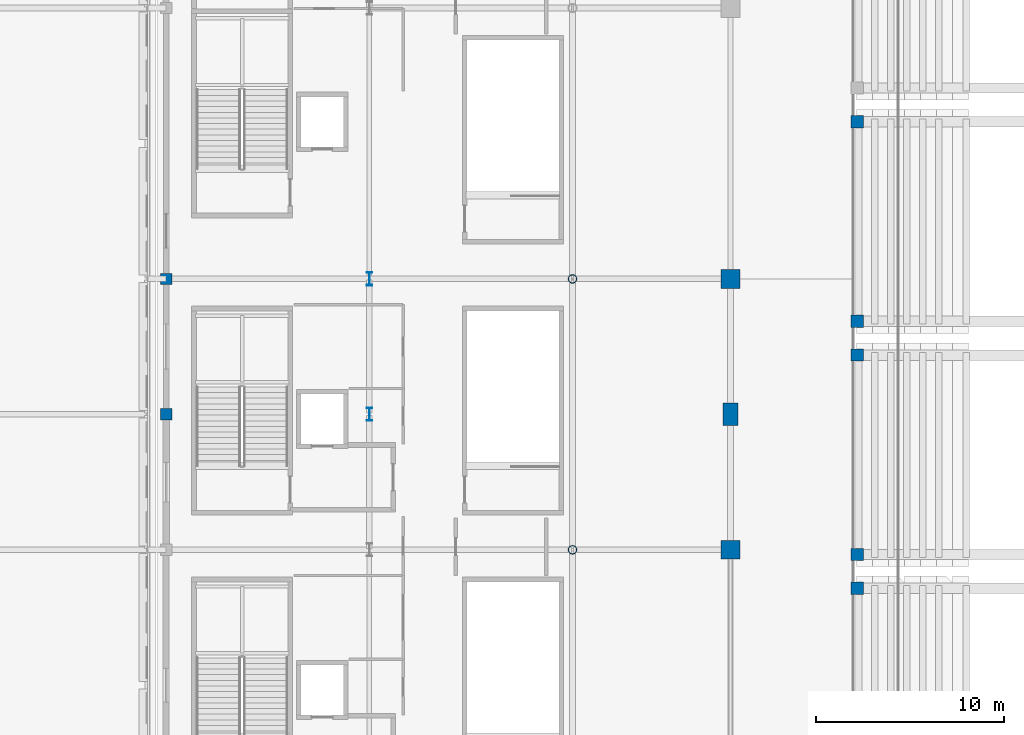
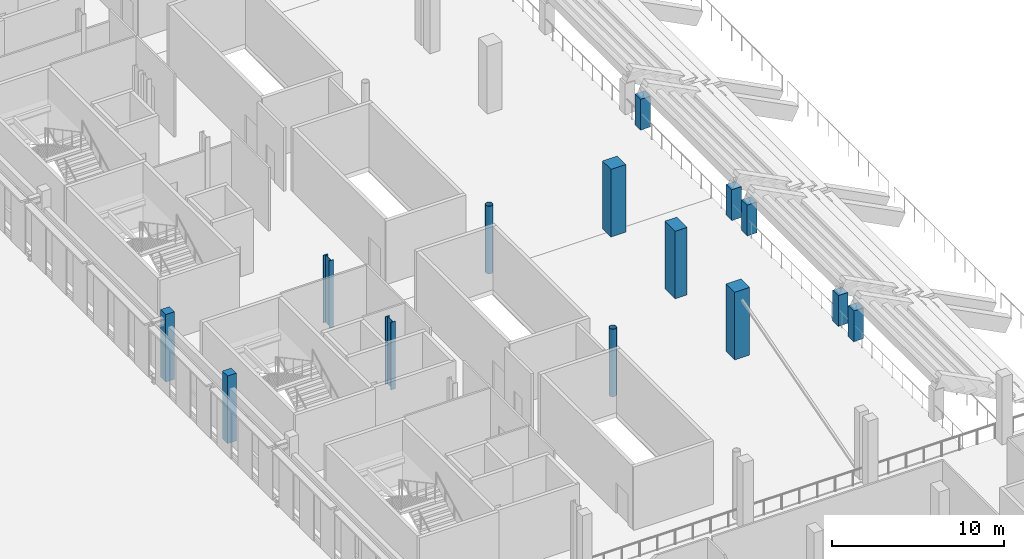
# One storey, part 2 of 74: 14 columns.
"""IFC4 building model written with IfcOpenShell, lengths in metres."""

from ifc_helpers import new_model, si_unit, direction, frame, origin, origin_2d, place, context, subcontext, project, spatial, rectangle, hollow_circle, i_section, extrude, material, material_profile, profile_set, type_object, element, save


model = new_model("IFC4")

# Units and contexts
model_context = context("Model", 3, precision=1e-05, world=origin(), true_north=direction((0.0, 1.0)))
body_context = subcontext(model_context, "Body", "Model", "MODEL_VIEW")
ifc_project = project(units=[si_unit("LENGTHUNIT", "METRE"), si_unit("AREAUNIT", "SQUARE_METRE"), si_unit("VOLUMEUNIT", "CUBIC_METRE"), si_unit("PLANEANGLEUNIT", "RADIAN"), si_unit("MASSUNIT", "GRAM", prefix="KILO")], contexts=[model_context])

# Site, building, storey
site_placement = place(None, origin())
site = spatial("IfcSite", under=ifc_project, at=site_placement, CompositionType="ELEMENT")
building_placement = place(site_placement, origin())
building = spatial("IfcBuilding", under=site, at=building_placement, Name="Koshinbarg Plaza Stadium", CompositionType="ELEMENT")
storey_placement = place(building_placement, frame((0.0, 0.0, 15.0)))
storey = spatial("IfcBuildingStorey", under=building, at=storey_placement, Name="L03", CompositionType="ELEMENT", Elevation=15.0)

# Columns
ifc_material_1 = material(Name="Concrete C40/50", Category="concrete")
ifc_material_profile_1 = material_profile(ifc_material_1, rectangle(XDim=0.60009765625, YDim=0.60009765625, at=origin_2d()), Name="RC 600x600")
ifc_profile_set_1 = profile_set([ifc_material_profile_1], Name="Concrete C40/50")
column_type_1 = type_object("IfcColumnType", Name="COL-RC-04", PredefinedType="COLUMN", material=ifc_profile_set_1)
for number, where, z_axis, x_axis, name in (
    (1, (24.60009765625, 47.10009765625, 0.0), (0.0, 0.0, 1.0), (1.0, 0.0, 0.0), "L03 column 5/G"),
    (2, (24.60009765625, 54.300048828125, 0.0), (0.0, 0.0, 1.0), (1.0, 0.0, 0.0), "L03 column 5/H"),
):
    element("IfcColumn", number, at=place(storey_placement, frame(where, z_axis=z_axis, x_axis=x_axis)), inside=storey, type_object=column_type_1, Name=name, PredefinedType="COLUMN", context=body_context, shape_type="SweptSolid", body=[
        extrude(rectangle(XDim=0.60009765625, YDim=0.60009765625, at=origin_2d()), origin(), (0.0, 0.0, 1.0), 4.800048828125),
    ])
ifc_material_profile_2 = material_profile(ifc_material_1, rectangle(XDim=0.64990234375, YDim=0.64990234375, at=origin_2d()), Name="RC 650x650")
ifc_profile_set_2 = profile_set([ifc_material_profile_2], Name="Concrete C40/50")
column_type_2 = type_object("IfcColumnType", Name="COL-RC-05", PredefinedType="COLUMN", material=ifc_profile_set_2)
for number, where, z_axis, x_axis, name in (
    (3, (61.340087890625, 37.85009765625, 0.0), (0.0, 0.0, 1.0), (1.0, 0.0, 0.0), "L03 bowl raker column UT-W01-R-CB"),
    (4, (61.340087890625, 39.64990234375, 0.0), (0.0, 0.0, 1.0), (1.0, 0.0, 0.0), "L03 bowl raker column UT-W02-L-CB"),
    (5, (61.340087890625, 50.25, 0.0), (0.0, 0.0, 1.0), (1.0, 0.0, 0.0), "L03 bowl raker column UT-W02-R-CB"),
    (6, (61.340087890625, 52.050048828125, 0.0), (0.0, 0.0, 1.0), (1.0, 0.0, 0.0), "L03 bowl raker column UT-W03-L-CB"),
    (7, (61.340087890625, 62.64990234375, 0.0), (0.0, 0.0, 1.0), (1.0, 0.0, 0.0), "L03 bowl raker column UT-W03-R-CB"),
):
    element("IfcColumn", number, at=place(storey_placement, frame(where, z_axis=z_axis, x_axis=x_axis)), inside=storey, type_object=column_type_2, Name=name, PredefinedType="COLUMN", context=body_context, shape_type="SweptSolid", body=[
        extrude(rectangle(XDim=0.64990234375, YDim=0.64990234375, at=origin_2d()), origin(), (0.0, 0.0, 1.0), 2.18798828125),
    ])
ifc_material_profile_3 = material_profile(ifc_material_1, rectangle(XDim=1.0, YDim=1.0, at=origin_2d()), Name="RC 1000x1000")
ifc_profile_set_3 = profile_set([ifc_material_profile_3], Name="Concrete C40/50")
column_type_3 = type_object("IfcColumnType", Name="COL-RC-11", PredefinedType="COLUMN", material=ifc_profile_set_3)
for number, where, z_axis, x_axis, name in (
    (8, (54.60009765625, 39.89990234375, 0.0), (0.0, 0.0, 1.0), (1.0, 0.0, 0.0), "L03 column 8/F"),
    (9, (54.60009765625, 54.300048828125, 0.0), (0.0, 0.0, 1.0), (1.0, 0.0, 0.0), "L03 column 8/H"),
):
    element("IfcColumn", number, at=place(storey_placement, frame(where, z_axis=z_axis, x_axis=x_axis)), inside=storey, type_object=column_type_3, Name=name, PredefinedType="COLUMN", context=body_context, shape_type="SweptSolid", body=[
        extrude(rectangle(XDim=1.0, YDim=1.0, at=origin_2d()), origin(), (0.0, 0.0, 1.0), 4.800048828125),
    ])
ifc_material_profile_4 = material_profile(ifc_material_1, rectangle(XDim=0.800048828125, YDim=1.199951171875, at=origin_2d()), Name="RC 800x1200")
ifc_profile_set_4 = profile_set([ifc_material_profile_4], Name="Concrete C40/50")
column_type_4 = type_object("IfcColumnType", Name="COL-RC-14", PredefinedType="COLUMN", material=ifc_profile_set_4)
column_placement = place(storey_placement, frame((54.60009765625, 47.10009765625, 0.0), z_axis=(0.0, 0.0, 1.0), x_axis=(1.0, 0.0, 0.0)))
element("IfcColumn", 10, at=column_placement, inside=storey, type_object=column_type_4, Name="L03 column 8/G", PredefinedType="COLUMN", context=body_context, shape_type="SweptSolid", body=[
    extrude(rectangle(XDim=0.800048828125, YDim=1.199951171875, at=origin_2d()), origin(), (0.0, 0.0, 1.0), 4.800048828125),
])
ifc_material_2 = material(Name="Steel S355", Category="steel")
ifc_material_profile_5 = material_profile(ifc_material_2, i_section(OverallWidth=0.300048828125, OverallDepth=0.699951171875, WebThickness=0.01708984375, FlangeThickness=0.031982421875, at=origin_2d()), Name="HEB 700")
ifc_profile_set_5 = profile_set([ifc_material_profile_5], Name="Steel S355")
column_type_5 = type_object("IfcColumnType", Name="COL-STL-04", PredefinedType="COLUMN", material=ifc_profile_set_5)
for number, where, z_axis, x_axis, name in (
    (11, (35.39990234375, 47.10009765625, 0.0), (0.0, 0.0, 1.0), (1.0, 0.0, 0.0), "L03 column 6/G"),
    (12, (35.39990234375, 54.300048828125, 0.0), (0.0, 0.0, 1.0), (1.0, 0.0, 0.0), "L03 column 6/H"),
):
    element("IfcColumn", number, at=place(storey_placement, frame(where, z_axis=z_axis, x_axis=x_axis)), inside=storey, type_object=column_type_5, Name=name, PredefinedType="COLUMN", context=body_context, shape_type="SweptSolid", body=[
        extrude(i_section(OverallWidth=0.300048828125, OverallDepth=0.699951171875, WebThickness=0.01708984375, FlangeThickness=0.031982421875, at=origin_2d()), origin(), (0.0, 0.0, 1.0), 4.800048828125),
    ])
ifc_material_profile_6 = material_profile(ifc_material_2, hollow_circle(Radius=0.228515625, WallThickness=0.02001953125, at=origin_2d()), Name="CHS 457x20")
ifc_profile_set_6 = profile_set([ifc_material_profile_6], Name="Steel S355")
column_type_6 = type_object("IfcColumnType", Name="COL-STL-05", PredefinedType="COLUMN", material=ifc_profile_set_6)
for number, where, z_axis, x_axis, name in (
    (13, (46.199951171875, 39.89990234375, 0.0), (0.0, 0.0, 1.0), (1.0, 0.0, 0.0), "L03 column 7/F"),
    (14, (46.199951171875, 54.300048828125, 0.0), (0.0, 0.0, 1.0), (1.0, 0.0, 0.0), "L03 column 7/H"),
):
    element("IfcColumn", number, at=place(storey_placement, frame(where, z_axis=z_axis, x_axis=x_axis)), inside=storey, type_object=column_type_6, Name=name, PredefinedType="COLUMN", context=body_context, shape_type="SweptSolid", body=[
        extrude(hollow_circle(Radius=0.228515625, WallThickness=0.02001953125, at=origin_2d()), origin(), (0.0, 0.0, 1.0), 4.800048828125),
    ])

save(model, "model.ifc")
